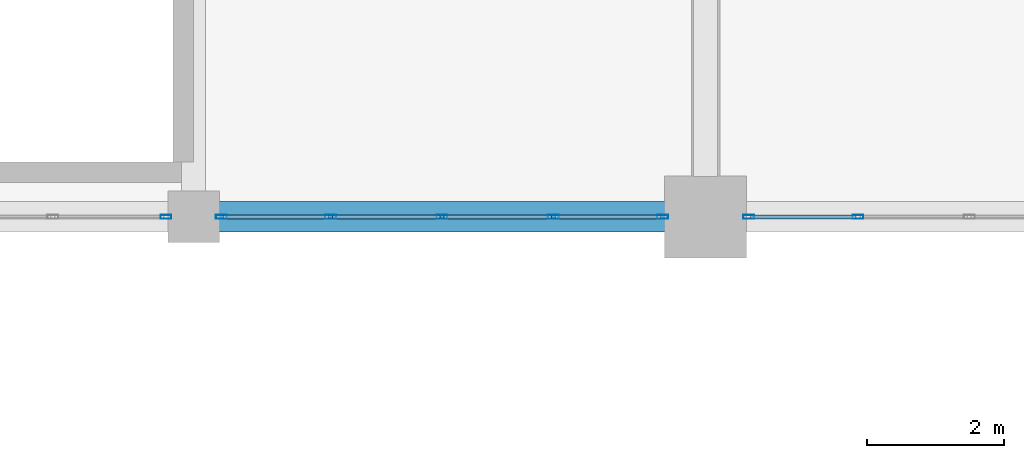
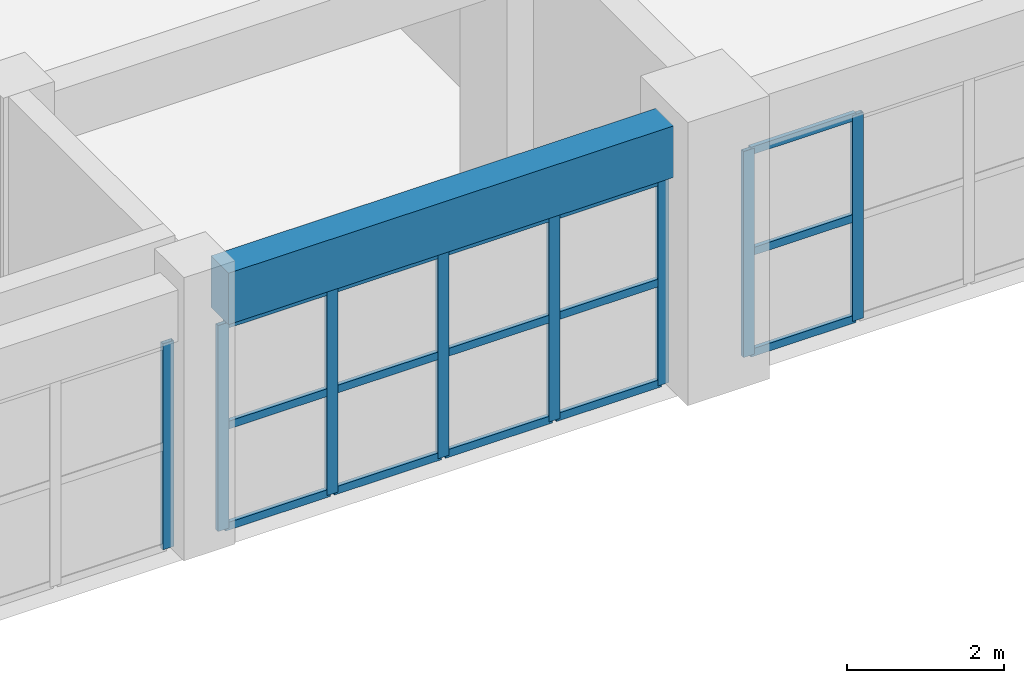
# One storey, part 34 of 116: 23 members, 1 beam, 3 elements without a shape of their own.
"""IFC4 building model written with IfcOpenShell, lengths in metres."""

from ifc_helpers import new_model, si_unit, direction, frame, origin, origin_2d, place, context, subcontext, project, spatial, rectangle, hollow_rectangle, extrude, material, layer, layer_set, material_profile, profile_set, type_object, element, aggregate, save


model = new_model("IFC4")

# Units and contexts
model_context = context("Model", 3, precision=1e-05, world=origin(), true_north=direction((0.0, 1.0)))
body_context = subcontext(model_context, "Body", "Model", "MODEL_VIEW")
ifc_project = project(units=[si_unit("LENGTHUNIT", "METRE"), si_unit("AREAUNIT", "SQUARE_METRE"), si_unit("VOLUMEUNIT", "CUBIC_METRE"), si_unit("PLANEANGLEUNIT", "RADIAN"), si_unit("MASSUNIT", "GRAM", prefix="KILO")], contexts=[model_context])

# Site, building, storey
site_placement = place(None, origin())
site = spatial("IfcSite", under=ifc_project, at=site_placement, CompositionType="ELEMENT")
building_placement = place(site_placement, origin())
building = spatial("IfcBuilding", under=site, at=building_placement, Name="Muzn Square Opera House", CompositionType="ELEMENT")
storey_placement = place(building_placement, frame((0.0, 0.0, 5.39990234375)))
storey = spatial("IfcBuildingStorey", under=building, at=storey_placement, Name="L01", CompositionType="ELEMENT", Elevation=5.39990234375)

# Curtain wall, member
ifc_material_1 = material(Name="Low-E laminated acoustic double glazing", Category="glass")
ifc_layer_1 = layer(ifc_material_1, 0.159912109375, Name="Low-E laminated acoustic double glazing", Category="glass")
ifc_layer_set_1 = layer_set([ifc_layer_1], Name="Low-E laminated acoustic double glazing")
curtain_wall_type_1 = type_object("IfcCurtainWallType", Name="Glazed Curtain Wall Forecourt 6750x3200", PredefinedType="USERDEFINED", material=ifc_layer_set_1)
curtain_wall_1_placement = place(storey_placement, origin())
curtain_wall_1 = element("IfcCurtainWall", 1, at=curtain_wall_1_placement, inside=storey, type_object=curtain_wall_type_1, Name="Glazed Curtain Wall CW-L01-003", ObjectType="GLAZED CURTAIN WALL", PredefinedType="USERDEFINED")
ifc_material_2 = material(Name="Anodised bronze aluminium 6063-T6", Category="metal")
ifc_material_profile_1 = material_profile(ifc_material_2, hollow_rectangle(XDim=0.06005859375, YDim=0.159912109375, WallThickness=0.00390625, at=origin_2d()), Name="ALU 160x60x4", Category="metal")
ifc_profile_set_1 = profile_set([ifc_material_profile_1], Name="Anodised bronze aluminium 6063-T6")
member_type_1 = type_object("IfcMemberType", Name="Curtain Wall Mullion 160x60", PredefinedType="MULLION", material=ifc_profile_set_1)
member_1_placement = place(storey_placement, frame((65.094970703125, 22.0, 0.0), z_axis=(0.0, 0.0, 1.0), x_axis=(0.0, 1.0, 0.0)))
member_1 = element("IfcMember", 2, at=member_1_placement, type_object=member_type_1, Name="CW-FC-67x32 mullion 5", PredefinedType="MULLION", context=body_context, shape_type="SweptSolid", body=[
    extrude(hollow_rectangle(XDim=0.06005859375, YDim=0.159912109375, WallThickness=0.00390625, at=origin_2d()), origin(), (0.0, 0.0, 1.0), 3.2001953125),
])
aggregate(curtain_wall_1, [member_1])

# Curtain wall, members
ifc_layer_2 = layer(ifc_material_1, 0.159912109375, Name="Low-E laminated acoustic double glazing", Category="glass")
ifc_layer_set_2 = layer_set([ifc_layer_2], Name="Low-E laminated acoustic double glazing")
curtain_wall_type_2 = type_object("IfcCurtainWallType", Name="Glazed Curtain Wall Forecourt 6525x3200", PredefinedType="USERDEFINED", material=ifc_layer_set_2)
curtain_wall_2_placement = place(storey_placement, origin())
curtain_wall_2 = element("IfcCurtainWall", 3, at=curtain_wall_2_placement, inside=storey, type_object=curtain_wall_type_2, Name="Glazed Curtain Wall CW-L01-004", ObjectType="GLAZED CURTAIN WALL", PredefinedType="USERDEFINED")
member_2_placement = place(storey_placement, frame((65.905029296875, 22.0, 0.0), z_axis=(0.0, 0.0, 1.0), x_axis=(0.0, 1.0, 0.0)))
member_2 = element("IfcMember", 4, at=member_2_placement, type_object=member_type_1, Name="CW-FC-65x32 mullion 1", PredefinedType="MULLION", context=body_context, shape_type="SweptSolid", body=[
    extrude(hollow_rectangle(XDim=0.06005859375, YDim=0.159912109375, WallThickness=0.00390625, at=origin_2d()), origin(), (0.0, 0.0, 1.0), 3.2001953125),
])
member_3_placement = place(storey_placement, frame((67.50634765625, 22.0, 0.0), z_axis=(0.0, 0.0, 1.0), x_axis=(0.0, 1.0, 0.0)))
member_3 = element("IfcMember", 5, at=member_3_placement, type_object=member_type_1, Name="CW-FC-65x32 mullion 2", PredefinedType="MULLION", context=body_context, shape_type="SweptSolid", body=[
    extrude(hollow_rectangle(XDim=0.06005859375, YDim=0.159912109375, WallThickness=0.00390625, at=origin_2d()), origin(), (0.0, 0.0, 1.0), 3.2001953125),
])
member_4_placement = place(storey_placement, frame((69.137451171875, 22.0, 0.0), z_axis=(0.0, 0.0, 1.0), x_axis=(0.0, 1.0, 0.0)))
member_4 = element("IfcMember", 6, at=member_4_placement, type_object=member_type_1, Name="CW-FC-65x32 mullion 3", PredefinedType="MULLION", context=body_context, shape_type="SweptSolid", body=[
    extrude(hollow_rectangle(XDim=0.06005859375, YDim=0.159912109375, WallThickness=0.00390625, at=origin_2d()), origin(), (0.0, 0.0, 1.0), 3.2001953125),
])
member_5_placement = place(storey_placement, frame((70.768798828125, 22.0, 0.0), z_axis=(0.0, 0.0, 1.0), x_axis=(0.0, 1.0, 0.0)))
member_5 = element("IfcMember", 7, at=member_5_placement, type_object=member_type_1, Name="CW-FC-65x32 mullion 4", PredefinedType="MULLION", context=body_context, shape_type="SweptSolid", body=[
    extrude(hollow_rectangle(XDim=0.06005859375, YDim=0.159912109375, WallThickness=0.00390625, at=origin_2d()), origin(), (0.0, 0.0, 1.0), 3.2001953125),
])
member_6_placement = place(storey_placement, frame((72.3701171875, 22.0, 0.0), z_axis=(0.0, 0.0, 1.0), x_axis=(0.0, 1.0, 0.0)))
member_6 = element("IfcMember", 8, at=member_6_placement, type_object=member_type_1, Name="CW-FC-65x32 mullion 5", PredefinedType="MULLION", context=body_context, shape_type="SweptSolid", body=[
    extrude(hollow_rectangle(XDim=0.06005859375, YDim=0.159912109375, WallThickness=0.00390625, at=origin_2d()), origin(), (0.0, 0.0, 1.0), 3.2001953125),
])

curtain_wall_3_placement = place(storey_placement, origin())
curtain_wall_3 = element("IfcCurtainWall", 9, at=curtain_wall_3_placement, inside=storey, type_object=curtain_wall_type_2, Name="Glazed Curtain Wall CW-L01-005", ObjectType="GLAZED CURTAIN WALL", PredefinedType="USERDEFINED")
member_7_placement = place(storey_placement, frame((73.6298828125, 22.0, 0.0), z_axis=(0.0, 0.0, 1.0), x_axis=(0.0, 1.0, 0.0)))
member_7 = element("IfcMember", 10, at=member_7_placement, type_object=member_type_1, Name="CW-FC-65x32 mullion 1", PredefinedType="MULLION", context=body_context, shape_type="SweptSolid", body=[
    extrude(hollow_rectangle(XDim=0.06005859375, YDim=0.159912109375, WallThickness=0.00390625, at=origin_2d()), origin(), (0.0, 0.0, 1.0), 3.2001953125),
])
member_8_placement = place(storey_placement, frame((75.231201171875, 22.0, 0.0), z_axis=(0.0, 0.0, 1.0), x_axis=(0.0, 1.0, 0.0)))
member_8 = element("IfcMember", 11, at=member_8_placement, type_object=member_type_1, Name="CW-FC-65x32 mullion 2", PredefinedType="MULLION", context=body_context, shape_type="SweptSolid", body=[
    extrude(hollow_rectangle(XDim=0.06005859375, YDim=0.159912109375, WallThickness=0.00390625, at=origin_2d()), origin(), (0.0, 0.0, 1.0), 3.2001953125),
])

# Member
ifc_material_profile_2 = material_profile(ifc_material_2, hollow_rectangle(XDim=0.06005859375, YDim=0.1201171875, WallThickness=0.00390625, at=origin_2d()), Name="ALU 120x60x4", Category="metal")
ifc_profile_set_2 = profile_set([ifc_material_profile_2], Name="Anodised bronze aluminium 6063-T6")
member_type_2 = type_object("IfcMemberType", Name="Curtain Wall Transom 120x60", PredefinedType="USERDEFINED", material=ifc_profile_set_2)
member_9_placement = place(storey_placement, frame((65.93505859375, 22.0, 0.030029296875), z_axis=(1.0, 0.0, 0.0), x_axis=(0.0, 1.0, 0.0)))
member_9 = element("IfcMember", 12, at=member_9_placement, type_object=member_type_2, Name="CW-FC-65x32 transom 1.1", ObjectType="TRANSOM", PredefinedType="USERDEFINED", context=body_context, shape_type="SweptSolid", body=[
    extrude(hollow_rectangle(XDim=0.06005859375, YDim=0.1201171875, WallThickness=0.00390625, at=origin_2d()), origin(), (0.0, 0.0, 1.0), 1.541259765625),
])

member_10_placement = place(storey_placement, frame((65.93505859375, 22.0, 1.60009765625), z_axis=(1.0, 0.0, 0.0), x_axis=(0.0, 1.0, 0.0)))
member_10 = element("IfcMember", 13, at=member_10_placement, type_object=member_type_2, Name="CW-FC-65x32 transom 1.2", ObjectType="TRANSOM", PredefinedType="USERDEFINED", context=body_context, shape_type="SweptSolid", body=[
    extrude(hollow_rectangle(XDim=0.06005859375, YDim=0.1201171875, WallThickness=0.00390625, at=origin_2d()), origin(), (0.0, 0.0, 1.0), 1.541259765625),
])

member_11_placement = place(storey_placement, frame((65.93505859375, 22.0, 3.170166015625), z_axis=(1.0, 0.0, 0.0), x_axis=(0.0, 1.0, 0.0)))
member_11 = element("IfcMember", 14, at=member_11_placement, type_object=member_type_2, Name="CW-FC-65x32 transom 1.3", ObjectType="TRANSOM", PredefinedType="USERDEFINED", context=body_context, shape_type="SweptSolid", body=[
    extrude(hollow_rectangle(XDim=0.06005859375, YDim=0.1201171875, WallThickness=0.00390625, at=origin_2d()), origin(), (0.0, 0.0, 1.0), 1.541259765625),
])

member_12_placement = place(storey_placement, frame((67.5361328125, 22.0, 0.030029296875), z_axis=(1.0, 0.0, 0.0), x_axis=(0.0, 1.0, 0.0)))
member_12 = element("IfcMember", 15, at=member_12_placement, type_object=member_type_2, Name="CW-FC-65x32 transom 2.1", ObjectType="TRANSOM", PredefinedType="USERDEFINED", context=body_context, shape_type="SweptSolid", body=[
    extrude(hollow_rectangle(XDim=0.06005859375, YDim=0.1201171875, WallThickness=0.00390625, at=origin_2d()), origin(), (0.0, 0.0, 1.0), 1.5712890625),
])

member_13_placement = place(storey_placement, frame((67.5361328125, 22.0, 1.60009765625), z_axis=(1.0, 0.0, 0.0), x_axis=(0.0, 1.0, 0.0)))
member_13 = element("IfcMember", 16, at=member_13_placement, type_object=member_type_2, Name="CW-FC-65x32 transom 2.2", ObjectType="TRANSOM", PredefinedType="USERDEFINED", context=body_context, shape_type="SweptSolid", body=[
    extrude(hollow_rectangle(XDim=0.06005859375, YDim=0.1201171875, WallThickness=0.00390625, at=origin_2d()), origin(), (0.0, 0.0, 1.0), 1.5712890625),
])

member_14_placement = place(storey_placement, frame((67.5361328125, 22.0, 3.170166015625), z_axis=(1.0, 0.0, 0.0), x_axis=(0.0, 1.0, 0.0)))
member_14 = element("IfcMember", 17, at=member_14_placement, type_object=member_type_2, Name="CW-FC-65x32 transom 2.3", ObjectType="TRANSOM", PredefinedType="USERDEFINED", context=body_context, shape_type="SweptSolid", body=[
    extrude(hollow_rectangle(XDim=0.06005859375, YDim=0.1201171875, WallThickness=0.00390625, at=origin_2d()), origin(), (0.0, 0.0, 1.0), 1.5712890625),
])

member_15_placement = place(storey_placement, frame((69.16748046875, 22.0, 0.030029296875), z_axis=(1.0, 0.0, 0.0), x_axis=(0.0, 1.0, 0.0)))
member_15 = element("IfcMember", 18, at=member_15_placement, type_object=member_type_2, Name="CW-FC-65x32 transom 3.1", ObjectType="TRANSOM", PredefinedType="USERDEFINED", context=body_context, shape_type="SweptSolid", body=[
    extrude(hollow_rectangle(XDim=0.06005859375, YDim=0.1201171875, WallThickness=0.00390625, at=origin_2d()), origin(), (0.0, 0.0, 1.0), 1.5712890625),
])

member_16_placement = place(storey_placement, frame((69.16748046875, 22.0, 1.60009765625), z_axis=(1.0, 0.0, 0.0), x_axis=(0.0, 1.0, 0.0)))
member_16 = element("IfcMember", 19, at=member_16_placement, type_object=member_type_2, Name="CW-FC-65x32 transom 3.2", ObjectType="TRANSOM", PredefinedType="USERDEFINED", context=body_context, shape_type="SweptSolid", body=[
    extrude(hollow_rectangle(XDim=0.06005859375, YDim=0.1201171875, WallThickness=0.00390625, at=origin_2d()), origin(), (0.0, 0.0, 1.0), 1.5712890625),
])

member_17_placement = place(storey_placement, frame((69.16748046875, 22.0, 3.170166015625), z_axis=(1.0, 0.0, 0.0), x_axis=(0.0, 1.0, 0.0)))
member_17 = element("IfcMember", 20, at=member_17_placement, type_object=member_type_2, Name="CW-FC-65x32 transom 3.3", ObjectType="TRANSOM", PredefinedType="USERDEFINED", context=body_context, shape_type="SweptSolid", body=[
    extrude(hollow_rectangle(XDim=0.06005859375, YDim=0.1201171875, WallThickness=0.00390625, at=origin_2d()), origin(), (0.0, 0.0, 1.0), 1.5712890625),
])

member_18_placement = place(storey_placement, frame((70.798828125, 22.0, 0.030029296875), z_axis=(1.0, 0.0, 0.0), x_axis=(0.0, 1.0, 0.0)))
member_18 = element("IfcMember", 21, at=member_18_placement, type_object=member_type_2, Name="CW-FC-65x32 transom 4.1", ObjectType="TRANSOM", PredefinedType="USERDEFINED", context=body_context, shape_type="SweptSolid", body=[
    extrude(hollow_rectangle(XDim=0.06005859375, YDim=0.1201171875, WallThickness=0.00390625, at=origin_2d()), origin(), (0.0, 0.0, 1.0), 1.541259765625),
])

member_19_placement = place(storey_placement, frame((70.798828125, 22.0, 1.60009765625), z_axis=(1.0, 0.0, 0.0), x_axis=(0.0, 1.0, 0.0)))
member_19 = element("IfcMember", 22, at=member_19_placement, type_object=member_type_2, Name="CW-FC-65x32 transom 4.2", ObjectType="TRANSOM", PredefinedType="USERDEFINED", context=body_context, shape_type="SweptSolid", body=[
    extrude(hollow_rectangle(XDim=0.06005859375, YDim=0.1201171875, WallThickness=0.00390625, at=origin_2d()), origin(), (0.0, 0.0, 1.0), 1.541259765625),
])

member_20_placement = place(storey_placement, frame((70.798828125, 22.0, 3.170166015625), z_axis=(1.0, 0.0, 0.0), x_axis=(0.0, 1.0, 0.0)))
member_20 = element("IfcMember", 23, at=member_20_placement, type_object=member_type_2, Name="CW-FC-65x32 transom 4.3", ObjectType="TRANSOM", PredefinedType="USERDEFINED", context=body_context, shape_type="SweptSolid", body=[
    extrude(hollow_rectangle(XDim=0.06005859375, YDim=0.1201171875, WallThickness=0.00390625, at=origin_2d()), origin(), (0.0, 0.0, 1.0), 1.541259765625),
])

aggregate(curtain_wall_2, [member_2, member_3, member_4, member_5, member_6, member_9, member_10, member_11, member_12, member_13, member_14, member_15, member_16, member_17, member_18, member_19, member_20])

member_21_placement = place(storey_placement, frame((73.659912109375, 22.0, 0.030029296875), z_axis=(1.0, 0.0, 0.0), x_axis=(0.0, 1.0, 0.0)))
member_21 = element("IfcMember", 24, at=member_21_placement, type_object=member_type_2, Name="CW-FC-65x32 transom 1.1", ObjectType="TRANSOM", PredefinedType="USERDEFINED", context=body_context, shape_type="SweptSolid", body=[
    extrude(hollow_rectangle(XDim=0.06005859375, YDim=0.1201171875, WallThickness=0.00390625, at=origin_2d()), origin(), (0.0, 0.0, 1.0), 1.541259765625),
])

member_22_placement = place(storey_placement, frame((73.659912109375, 22.0, 1.60009765625), z_axis=(1.0, 0.0, 0.0), x_axis=(0.0, 1.0, 0.0)))
member_22 = element("IfcMember", 25, at=member_22_placement, type_object=member_type_2, Name="CW-FC-65x32 transom 1.2", ObjectType="TRANSOM", PredefinedType="USERDEFINED", context=body_context, shape_type="SweptSolid", body=[
    extrude(hollow_rectangle(XDim=0.06005859375, YDim=0.1201171875, WallThickness=0.00390625, at=origin_2d()), origin(), (0.0, 0.0, 1.0), 1.541259765625),
])

member_23_placement = place(storey_placement, frame((73.659912109375, 22.0, 3.170166015625), z_axis=(1.0, 0.0, 0.0), x_axis=(0.0, 1.0, 0.0)))
member_23 = element("IfcMember", 26, at=member_23_placement, type_object=member_type_2, Name="CW-FC-65x32 transom 1.3", ObjectType="TRANSOM", PredefinedType="USERDEFINED", context=body_context, shape_type="SweptSolid", body=[
    extrude(hollow_rectangle(XDim=0.06005859375, YDim=0.1201171875, WallThickness=0.00390625, at=origin_2d()), origin(), (0.0, 0.0, 1.0), 1.541259765625),
])

aggregate(curtain_wall_3, [member_7, member_8, member_21, member_22, member_23])

# Beam
ifc_material_3 = material(Name="Concrete C40/50", Category="concrete")
ifc_material_profile_3 = material_profile(ifc_material_3, rectangle(XDim=0.449951171875, YDim=0.800048828125, at=origin_2d()), Name="RCB 450x800", Category="concrete")
ifc_profile_set_3 = profile_set([ifc_material_profile_3], Name="Concrete C40/50")
beam_type = type_object("IfcBeamType", Name="Primary Girder 450x800", PredefinedType="BEAM", material=ifc_profile_set_3)
beam_placement = place(storey_placement, frame((65.866943359375, 22.0, 3.72021484375), z_axis=(1.0, 0.0, 0.0), x_axis=(0.0, 1.0, 0.0)))
element("IfcBeam", 27, at=beam_placement, inside=storey, type_object=beam_type, Name="Primary Girder BM-L01-BM-PG800-659_220_724_220-1282", PredefinedType="BEAM", context=body_context, shape_type="SweptSolid", body=[
    extrude(rectangle(XDim=0.449951171875, YDim=0.800048828125, at=origin_2d()), origin(), (0.0, 0.0, 1.0), 6.541015625),
])

save(model, "model.ifc")
